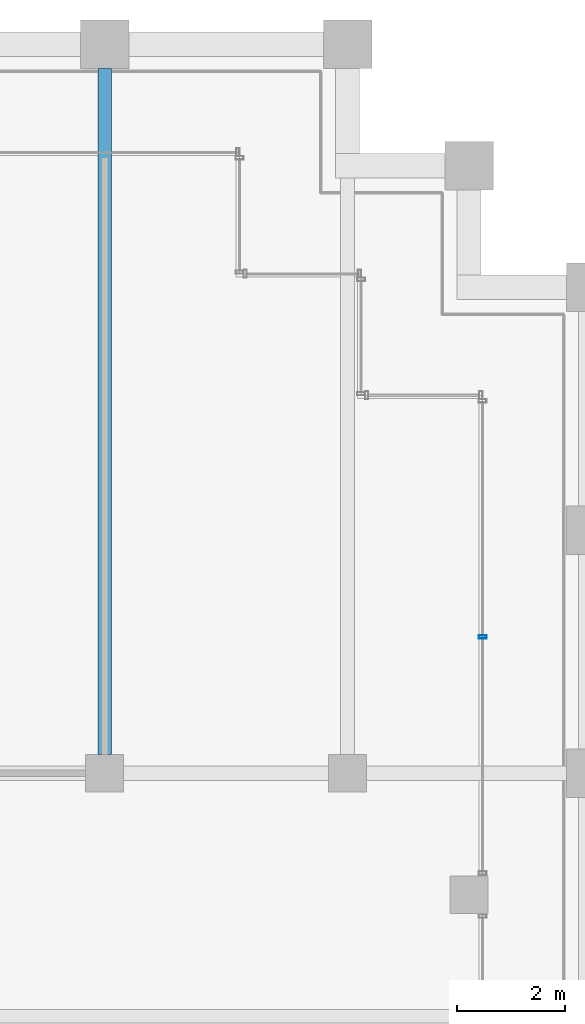
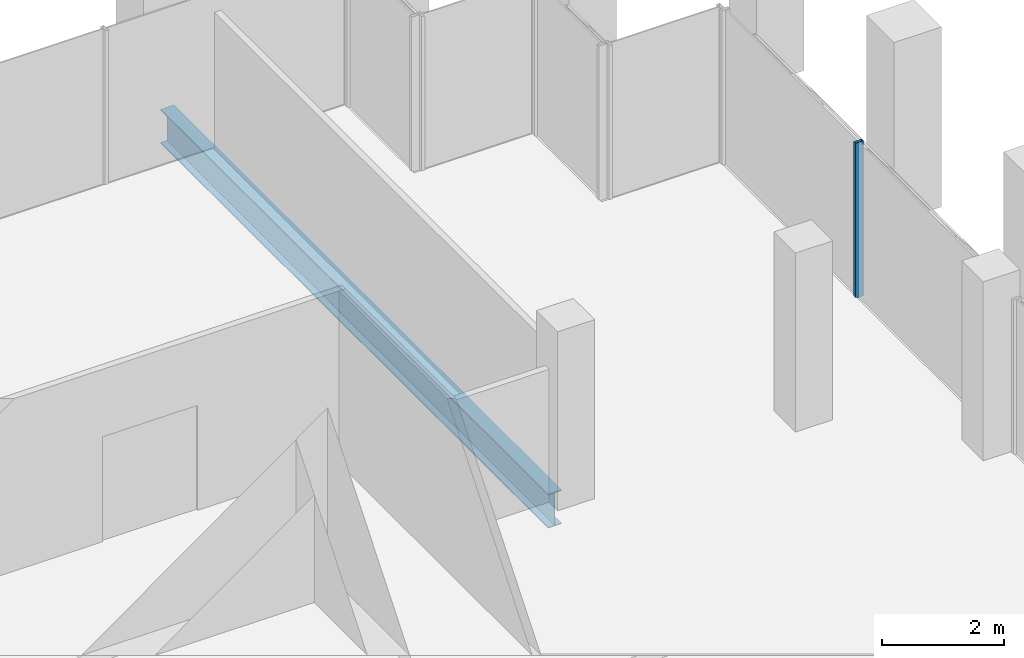
# One storey, part 24 of 40: 1 beam, 1 member, 1 element without a shape of its own.
"""IFC4 building model written with IfcOpenShell, lengths in metres."""

from ifc_helpers import new_model, si_unit, direction, frame, origin, origin_2d, place, context, subcontext, project, spatial, hollow_rectangle, i_section, extrude, material, material_profile, profile_set, type_object, element, aggregate, save


model = new_model("IFC4")

# Units and contexts
model_context = context("Model", 3, precision=1e-05, world=origin(), true_north=direction((0.0, 1.0)))
body_context = subcontext(model_context, "Body", "Model", "MODEL_VIEW")
ifc_project = project(units=[si_unit("LENGTHUNIT", "METRE"), si_unit("AREAUNIT", "SQUARE_METRE"), si_unit("VOLUMEUNIT", "CUBIC_METRE"), si_unit("PLANEANGLEUNIT", "RADIAN"), si_unit("MASSUNIT", "GRAM", prefix="KILO")], contexts=[model_context])

# Site, building, storey
site_placement = place(None, origin())
site = spatial("IfcSite", under=ifc_project, at=site_placement, CompositionType="ELEMENT")
building_placement = place(site_placement, origin())
building = spatial("IfcBuilding", under=site, at=building_placement, Name="Altepetl Exchange Towers", CompositionType="ELEMENT")
storey_placement = place(building_placement, frame((0.0, 0.0, 161.800048828125)))
storey = spatial("IfcBuildingStorey", under=building, at=storey_placement, Name="L40", CompositionType="ELEMENT", Elevation=161.800048828125)

# Beam
ifc_material_1 = material(Name="Steel S355", Category="steel")
ifc_material_profile_1 = material_profile(ifc_material_1, i_section(OverallWidth=0.25390625, OverallDepth=0.68408203125, WebThickness=0.012451171875, FlangeThickness=0.018798828125, at=origin_2d()), Name="W27X94")
ifc_profile_set_1 = profile_set([ifc_material_profile_1], Name="Steel S355")
beam_type = type_object("IfcBeamType", Name="Floor beam W27X94", PredefinedType="BEAM", material=ifc_profile_set_1)
beam_placement = place(storey_placement, frame((63.0, 58.85009765625, -0.491943359375), z_axis=(0.0, 1.0, 0.0), x_axis=(-1.0, 0.0, 0.0)))
element("IfcBeam", 1, at=beam_placement, inside=storey, type_object=beam_type, Name="bm:A:L40:004", PredefinedType="BEAM", context=body_context, shape_type="SweptSolid", body=[
    extrude(i_section(OverallWidth=0.25390625, OverallDepth=0.68408203125, WebThickness=0.012451171875, FlangeThickness=0.018798828125, at=origin_2d()), origin(), (0.0, 0.0, 1.0), 12.699951171875),
])

# Curtain wall, member
ifc_material_2 = material(Name="Aluminium 6063-T6 glazing", Category="aluminium")
curtain_wall_type = type_object("IfcCurtainWallType", Name="Loggia glazing system", PredefinedType="NOTDEFINED", material=ifc_material_2)
curtain_wall_placement = place(storey_placement, origin())
curtain_wall = element("IfcCurtainWall", 2, at=curtain_wall_placement, inside=storey, type_object=curtain_wall_type, Name="CW1 run", PredefinedType="NOTDEFINED")
ifc_material_3 = material(Name="Aluminium 6063-T6", Category="aluminium")
ifc_material_profile_2 = material_profile(ifc_material_3, hollow_rectangle(XDim=0.06005859375, YDim=0.14990234375, WallThickness=0.0029296875, at=origin_2d()), Name="Mullion 60x150 aluminium")
ifc_profile_set_2 = profile_set([ifc_material_profile_2], Name="Aluminium 6063-T6")
member_type = type_object("IfcMemberType", Name="Mullion 60x150 aluminium", PredefinedType="MULLION", material=ifc_profile_set_2)
member_placement = place(storey_placement, frame((70.0, 61.0224609375, 0.0), z_axis=(0.0, 0.0, 1.0), x_axis=(0.0, 1.0, 0.0)))
member = element("IfcMember", 3, at=member_placement, type_object=member_type, Name="MU1 mullion", PredefinedType="MULLION", context=body_context, shape_type="SweptSolid", body=[
    extrude(hollow_rectangle(XDim=0.06005859375, YDim=0.14990234375, WallThickness=0.0029296875, at=origin_2d()), origin(), (0.0, 0.0, 1.0), 3.099853515625),
])
aggregate(curtain_wall, [member])

save(model, "model.ifc")
